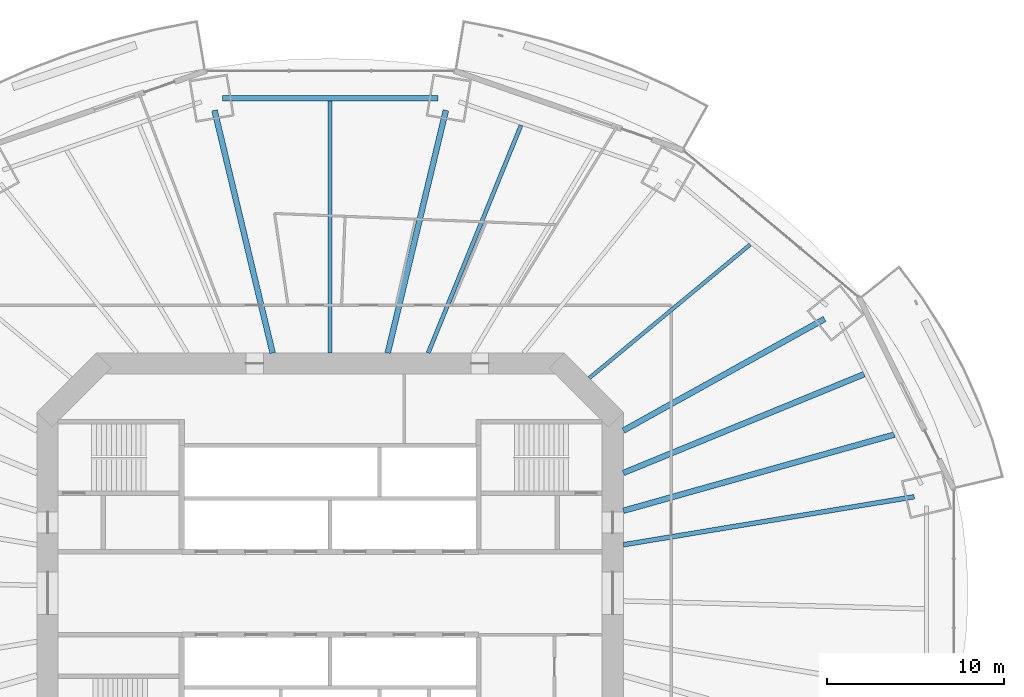
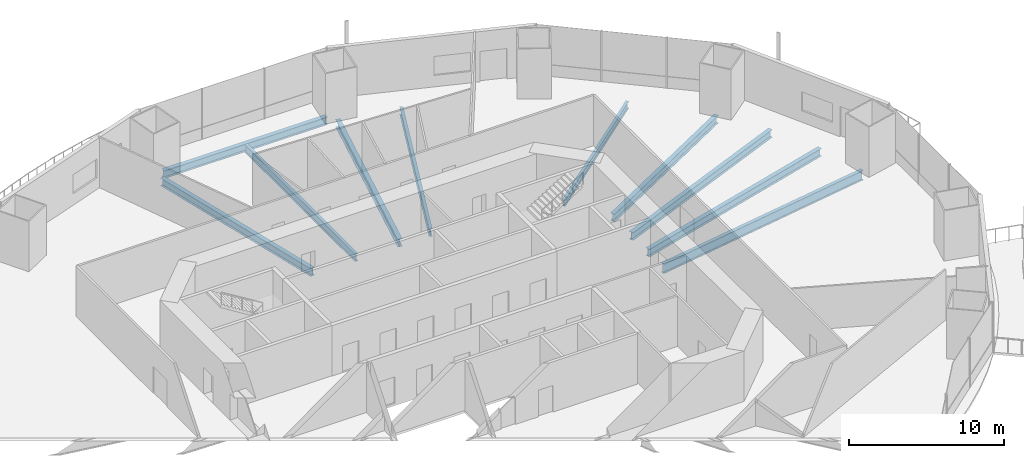
# One storey, part 8 of 23: 10 beams.
"""IFC4 building model written with IfcOpenShell, lengths in metres."""

from ifc_helpers import new_model, si_unit, direction, frame, origin, origin_2d, place, context, subcontext, project, spatial, i_section, extrude, material, material_profile, profile_set, type_object, element, save


model = new_model("IFC4")

# Units and contexts
model_context = context("Model", 3, precision=1e-05, world=origin(), true_north=direction((0.0, 1.0)))
body_context = subcontext(model_context, "Body", "Model", "MODEL_VIEW")
ifc_project = project(units=[si_unit("LENGTHUNIT", "METRE"), si_unit("AREAUNIT", "SQUARE_METRE"), si_unit("VOLUMEUNIT", "CUBIC_METRE"), si_unit("PLANEANGLEUNIT", "RADIAN"), si_unit("MASSUNIT", "GRAM", prefix="KILO")], contexts=[model_context])

# Site, building, storey
site_placement = place(None, origin())
site = spatial("IfcSite", under=ifc_project, at=site_placement, CompositionType="ELEMENT")
building_placement = place(site_placement, origin())
building = spatial("IfcBuilding", under=site, at=building_placement, Name="Marenthal Gate Tower", CompositionType="ELEMENT")
storey_placement = place(building_placement, frame((0.0, 0.0, 66.199951171875)))
storey = spatial("IfcBuildingStorey", under=building, at=storey_placement, Name="L12", CompositionType="ELEMENT", Elevation=66.199951171875)

# Beams
ifc_material_1 = material(Name="Steel S355", Category="steel")
ifc_material_profile_1 = material_profile(ifc_material_1, i_section(OverallWidth=0.2119140625, OverallDepth=0.5439453125, WebThickness=0.01318359375, FlangeThickness=0.021240234375, FilletRadius=0.0126953125, at=origin_2d()), Name="W530X123")
ifc_profile_set_1 = profile_set([ifc_material_profile_1], Name="Steel S355")
beam_type_1 = type_object("IfcBeamType", Name="W530X123 beam", PredefinedType="BEAM", material=ifc_profile_set_1)
beam_1_placement = place(storey_placement, frame((23.77783203125, 19.73876953125, -0.451904296875), z_axis=(-0.769432069778, -0.638728651304, 0.0), x_axis=(0.638728651304, -0.769432069778, 0.0)))
element("IfcBeam", 1, at=beam_1_placement, inside=storey, type_object=beam_type_1, Name="BM-L12-19", PredefinedType="BEAM", context=body_context, shape_type="SweptSolid", body=[
    extrude(i_section(OverallWidth=0.2119140625, OverallDepth=0.5439453125, WebThickness=0.01318359375, FlangeThickness=0.021240234375, FilletRadius=0.0126953125, at=origin_2d()), origin(), (0.0, 0.0, 1.0), 11.8369140625),
])
ifc_material_2 = material(Name="Steel S355", Category="steel")
ifc_material_profile_2 = material_profile(ifc_material_2, i_section(OverallWidth=0.22900390625, OverallDepth=0.612060546875, WebThickness=0.011962890625, FlangeThickness=0.01953125, FilletRadius=0.0126953125, at=origin_2d()), Name="W610X125")
ifc_profile_set_2 = profile_set([ifc_material_profile_2], Name="Steel S355")
beam_type_2 = type_object("IfcBeamType", Name="W610X125 beam", PredefinedType="BEAM", material=ifc_profile_set_2)
beam_2_placement = place(storey_placement, frame((10.805908203125, 26.491943359375, -0.48583984375), z_axis=(-0.377685635209, -0.925933885845, 0.0), x_axis=(0.925933885845, -0.377685635209, 0.0)))
element("IfcBeam", 2, at=beam_2_placement, inside=storey, type_object=beam_type_2, Name="BM-L12-21", PredefinedType="BEAM", context=body_context, shape_type="SweptSolid", body=[
    extrude(i_section(OverallWidth=0.22900390625, OverallDepth=0.612060546875, WebThickness=0.011962890625, FlangeThickness=0.01953125, FilletRadius=0.0126953125, at=origin_2d()), origin(), (0.0, 0.0, 1.0), 13.923095703125),
])
beam_3_placement = place(storey_placement, frame((0.0, 27.857666015625, -0.48583984375), z_axis=(0.0, -1.0, 0.0), x_axis=(1.0, 0.0, 0.0)))
element("IfcBeam", 3, at=beam_3_placement, inside=storey, type_object=beam_type_2, Name="BM-L12-22", PredefinedType="BEAM", context=body_context, shape_type="SweptSolid", body=[
    extrude(i_section(OverallWidth=0.22900390625, OverallDepth=0.612060546875, WebThickness=0.011962890625, FlangeThickness=0.01953125, FilletRadius=0.0126953125, at=origin_2d()), origin(), (0.0, 0.0, 1.0), 14.257568359375),
])
ifc_material_3 = material(Name="Steel S355", Category="steel")
ifc_material_profile_3 = material_profile(ifc_material_3, i_section(OverallWidth=0.324951171875, OverallDepth=0.612060546875, WebThickness=0.0126953125, FlangeThickness=0.01904296875, FilletRadius=0.0126953125, at=origin_2d()), Name="W610X155")
ifc_profile_set_3 = profile_set([ifc_material_profile_3], Name="Steel S355")
beam_type_3 = type_object("IfcBeamType", Name="W610X155 beam", PredefinedType="BEAM", material=ifc_profile_set_3)
beam_4_placement = place(storey_placement, frame((27.9873046875, 15.52392578125, -0.48583984375), z_axis=(-0.874477229212, -0.485066568204, 0.0), x_axis=(0.485066568204, -0.874477229212, 0.0)))
element("IfcBeam", 4, at=beam_4_placement, inside=storey, type_object=beam_type_3, Name="BM-L12-02", PredefinedType="BEAM", context=body_context, shape_type="SweptSolid", body=[
    extrude(i_section(OverallWidth=0.324951171875, OverallDepth=0.612060546875, WebThickness=0.0126953125, FlangeThickness=0.01904296875, FilletRadius=0.0126953125, at=origin_2d()), origin(), (0.0, 0.0, 1.0), 13.021728515625),
])
for number, where, z_axis, x_axis, name in (
    (5, (6.55029296875, 27.336181640625, -0.48583984375), (-0.233027773501, -0.972470080145, 0.0), (0.972470080145, -0.233027773501, 0.0), "BM-L12-04"),
    (6, (-6.55029296875, 27.336181640625, -0.48583984375), (0.233027773501, -0.972470080145, 0.0), (0.972470080145, 0.233027773501, 0.0), "BM-L12-05"),
):
    element("IfcBeam", number, at=place(storey_placement, frame(where, z_axis=z_axis, x_axis=x_axis)), inside=storey, type_object=beam_type_3, Name=name, PredefinedType="BEAM", context=body_context, shape_type="SweptSolid", body=[
        extrude(i_section(OverallWidth=0.324951171875, OverallDepth=0.612060546875, WebThickness=0.0126953125, FlangeThickness=0.01904296875, FilletRadius=0.0126953125, at=origin_2d()), origin(), (0.0, 0.0, 1.0), 14.125),
    ])
beam_5_placement = place(storey_placement, frame((31.93701171875, 8.977294921875, -0.48583984375), z_axis=(-0.962687377479, -0.270615988521, 0.0), x_axis=(0.270615988521, -0.962687377479, 0.0)))
element("IfcBeam", 7, at=beam_5_placement, inside=storey, type_object=beam_type_3, Name="BM-L12-17", PredefinedType="BEAM", context=body_context, shape_type="SweptSolid", body=[
    extrude(i_section(OverallWidth=0.324951171875, OverallDepth=0.612060546875, WebThickness=0.0126953125, FlangeThickness=0.01904296875, FilletRadius=0.0126953125, at=origin_2d()), origin(), (0.0, 0.0, 1.0), 15.931396484375),
])
beam_6_placement = place(storey_placement, frame((30.2294921875, 12.39892578125, -0.48583984375), z_axis=(-0.925197564596, -0.379485792178, 0.0), x_axis=(0.379485792178, -0.925197564596, 0.0)))
element("IfcBeam", 8, at=beam_6_placement, inside=storey, type_object=beam_type_3, Name="BM-L12-18", PredefinedType="BEAM", context=body_context, shape_type="SweptSolid", body=[
    extrude(i_section(OverallWidth=0.324951171875, OverallDepth=0.612060546875, WebThickness=0.0126953125, FlangeThickness=0.01904296875, FilletRadius=0.0126953125, at=origin_2d()), origin(), (0.0, 0.0, 1.0), 14.7314453125),
])
beam_7_placement = place(storey_placement, frame((6.09912109375, 28.02001953125, -0.48583984375), z_axis=(-1.0, 0.0, 0.0), x_axis=(0.0, -1.0, 0.0)))
element("IfcBeam", 9, at=beam_7_placement, inside=storey, type_object=beam_type_3, Name="BM-L12-44", PredefinedType="BEAM", context=body_context, shape_type="SweptSolid", body=[
    extrude(i_section(OverallWidth=0.324951171875, OverallDepth=0.612060546875, WebThickness=0.0126953125, FlangeThickness=0.01904296875, FilletRadius=0.0126953125, at=origin_2d()), origin(), (0.0, 0.0, 1.0), 12.1982421875),
])
ifc_material_4 = material(Name="Steel S355", Category="steel")
ifc_material_profile_4 = material_profile(ifc_material_4, i_section(OverallWidth=0.26708984375, OverallDepth=0.761962890625, WebThickness=0.014404296875, FlangeThickness=0.021484375, FilletRadius=0.0166015625, at=origin_2d()), Name="W760X173")
ifc_profile_set_4 = profile_set([ifc_material_profile_4], Name="Steel S355")
beam_type_4 = type_object("IfcBeamType", Name="W760X173 beam", PredefinedType="BEAM", material=ifc_profile_set_4)
beam_8_placement = place(storey_placement, frame((33.06005859375, 5.458984375, -0.56103515625), z_axis=(-0.986638832435, -0.16292272503, 0.0), x_axis=(0.16292272503, -0.986638832435, 0.0)))
element("IfcBeam", 10, at=beam_8_placement, inside=storey, type_object=beam_type_4, Name="BM-L12-01", PredefinedType="BEAM", context=body_context, shape_type="SweptSolid", body=[
    extrude(i_section(OverallWidth=0.26708984375, OverallDepth=0.761962890625, WebThickness=0.014404296875, FlangeThickness=0.021484375, FilletRadius=0.0166015625, at=origin_2d()), origin(), (0.0, 0.0, 1.0), 16.682861328125),
])

save(model, "model.ifc")
